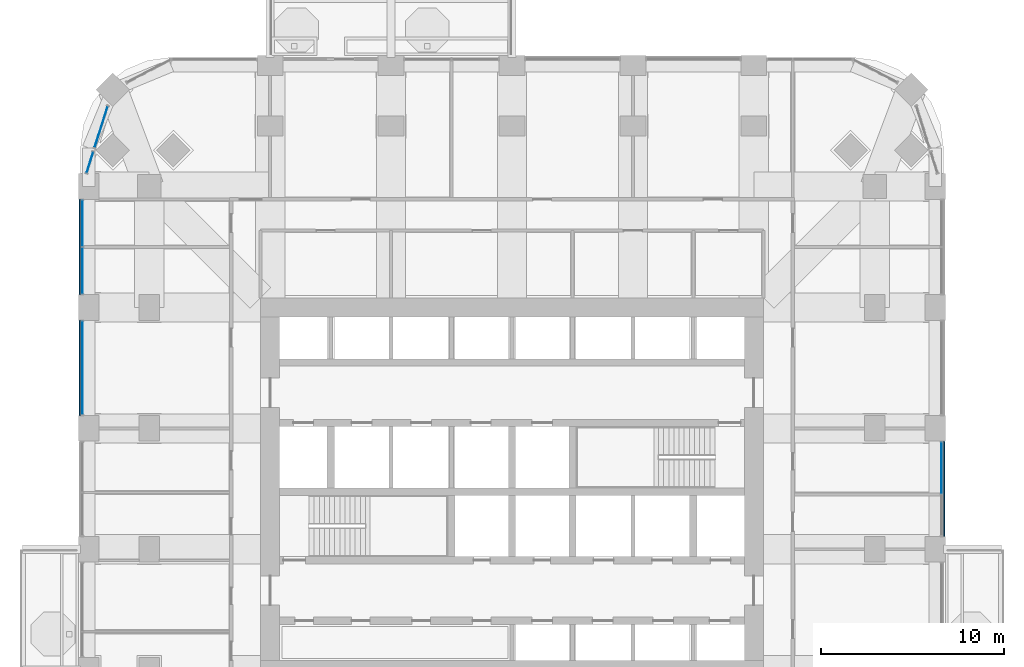
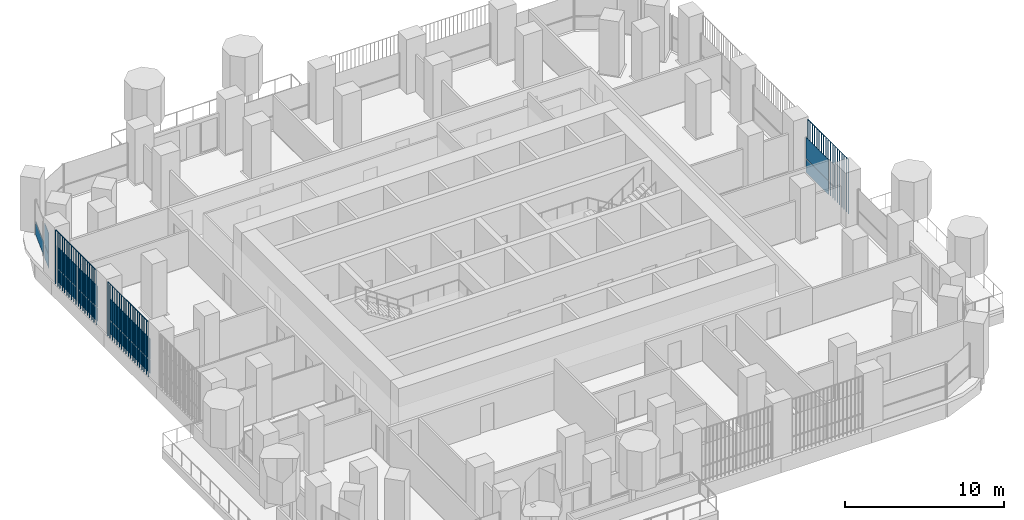
# One storey, part 10 of 21: 14 plates, 5 elements without a shape of their own.
"""IFC4 building model written with IfcOpenShell, lengths in metres."""

from ifc_helpers import new_model, si_unit, direction, frame, origin, origin_2d, place, context, subcontext, project, spatial, polyline, rectangle, outline, extrude, material, layer, layer_set, type_object, element, aggregate, save


model = new_model("IFC4")

# Units and contexts
model_context = context("Model", 3, precision=1e-05, world=origin(), true_north=direction((0.0, 1.0)))
body_context = subcontext(model_context, "Body", "Model", "MODEL_VIEW")
ifc_project = project(units=[si_unit("LENGTHUNIT", "METRE"), si_unit("AREAUNIT", "SQUARE_METRE"), si_unit("VOLUMEUNIT", "CUBIC_METRE"), si_unit("PLANEANGLEUNIT", "RADIAN"), si_unit("MASSUNIT", "GRAM", prefix="KILO")], contexts=[model_context])

# Site, building, storey
site_placement = place(None, origin())
site = spatial("IfcSite", under=ifc_project, at=site_placement, CompositionType="ELEMENT")
building_placement = place(site_placement, origin())
building = spatial("IfcBuilding", under=site, at=building_placement, Name="Cobogo Forest Laboratory Tower", CompositionType="ELEMENT")
storey_placement = place(building_placement, frame((0.0, 0.0, 132.60009765625)))
storey = spatial("IfcBuildingStorey", under=building, at=storey_placement, Name="L30", CompositionType="ELEMENT", Elevation=132.60009765625)

# Curtain wall, plates
ifc_material_1 = material(Name="Aluminium curtain wall", Category="aluminium")
curtain_wall_type = type_object("IfcCurtainWallType", Name="CW-1 unitised curtain wall, clear glazing, laboratory floors zones A and B", PredefinedType="USERDEFINED", material=ifc_material_1)
curtain_wall_1_placement = place(storey_placement, origin())
curtain_wall_1 = element("IfcCurtainWall", 1, at=curtain_wall_1_placement, inside=storey, type_object=curtain_wall_type, Name="Curtain wall 12 L30", ObjectType="UNITISED CURTAIN WALL", PredefinedType="USERDEFINED")
ifc_material_2 = material(Name="Clear insulated glass", Category="glass")
ifc_layer = layer(ifc_material_2, 0.028076171875)
ifc_layer_set = layer_set([ifc_layer], Name="GP-1 clear insulated glass unit 28")
plate_type_1 = type_object("IfcPlateType", Name="GP-1 clear insulated glass unit 28", PredefinedType="CURTAIN_PANEL", material=ifc_layer_set)
plate_1_placement = place(storey_placement, frame((49.85009765625, 24.235107421875, 0.0), z_axis=(0.0, 0.0, 1.0), x_axis=(0.0, 1.0, 0.0)))
plate_1 = element("IfcPlate", 2, at=plate_1_placement, type_object=plate_type_1, Name="CW-1 panel 2.1", PredefinedType="CURTAIN_PANEL", context=body_context, shape_type="SweptSolid", body=[
    extrude(rectangle(XDim=2.81005859375, YDim=0.028076171875, at=origin_2d()), origin(), (0.0, 0.0, 1.0), 1.02001953125),
])
plate_2_placement = place(storey_placement, frame((49.85009765625, 24.235107421875, 1.079833984375), z_axis=(0.0, 0.0, 1.0), x_axis=(0.0, 1.0, 0.0)))
plate_2 = element("IfcPlate", 3, at=plate_2_placement, type_object=plate_type_1, Name="CW-1 panel 2.2", PredefinedType="CURTAIN_PANEL", context=body_context, shape_type="SweptSolid", body=[
    extrude(rectangle(XDim=2.81005859375, YDim=0.028076171875, at=origin_2d()), origin(), (0.0, 0.0, 1.0), 1.6201171875),
])
aggregate(curtain_wall_1, [plate_1, plate_2])

# Curtain wall, plate
curtain_wall_2_placement = place(storey_placement, origin())
curtain_wall_2 = element("IfcCurtainWall", 4, at=curtain_wall_2_placement, inside=storey, type_object=curtain_wall_type, Name="Curtain wall 25 L30", ObjectType="UNITISED CURTAIN WALL", PredefinedType="USERDEFINED")
plate_3_placement = place(storey_placement, frame((3.978759765625, 42.857421875, 0.0), z_axis=(0.0, 0.0, 1.0), x_axis=(-0.301135291996, -0.953581425949, 0.0)))
plate_3 = element("IfcPlate", 5, at=plate_3_placement, type_object=plate_type_1, Name="CW-1 panel 1.1", PredefinedType="CURTAIN_PANEL", context=body_context, shape_type="SweptSolid", body=[
    extrude(rectangle(XDim=2.3681640625, YDim=0.028076171875, at=origin_2d()), origin(), (0.0, 0.0, 1.0), 1.02001953125),
])
aggregate(curtain_wall_2, [plate_3])

# Curtain wall, plates
curtain_wall_3_placement = place(storey_placement, origin())
curtain_wall_3 = element("IfcCurtainWall", 6, at=curtain_wall_3_placement, inside=storey, type_object=curtain_wall_type, Name="Curtain wall 26 L30", ObjectType="UNITISED CURTAIN WALL", PredefinedType="USERDEFINED")
plate_4_placement = place(storey_placement, frame((3.3662109375, 40.917724609375, 0.0), z_axis=(0.0, 0.0, 1.0), x_axis=(-0.301135356805, -0.953581405483, 0.0)))
plate_4 = element("IfcPlate", 7, at=plate_4_placement, type_object=plate_type_1, Name="CW-1 panel 1.1", PredefinedType="CURTAIN_PANEL", context=body_context, shape_type="SweptSolid", body=[
    extrude(rectangle(XDim=1.17578125, YDim=0.028076171875, at=origin_2d()), origin(), (0.0, 0.0, 1.0), 1.02001953125),
])
plate_5_placement = place(storey_placement, frame((3.3662109375, 40.917724609375, 1.079833984375), z_axis=(0.0, 0.0, 1.0), x_axis=(-0.301135356805, -0.953581405483, 0.0)))
plate_5 = element("IfcPlate", 8, at=plate_5_placement, type_object=plate_type_1, Name="CW-1 panel 1.2", PredefinedType="CURTAIN_PANEL", context=body_context, shape_type="SweptSolid", body=[
    extrude(rectangle(XDim=1.17578125, YDim=0.028076171875, at=origin_2d()), origin(), (0.0, 0.0, 1.0), 1.6201171875),
])
aggregate(curtain_wall_3, [plate_4, plate_5])

curtain_wall_4_placement = place(storey_placement, origin())
curtain_wall_4 = element("IfcCurtainWall", 9, at=curtain_wall_4_placement, inside=storey, type_object=curtain_wall_type, Name="Curtain wall 27 L30", ObjectType="UNITISED CURTAIN WALL", PredefinedType="USERDEFINED")
plate_6_placement = place(storey_placement, frame((2.949951171875, 37.5849609375, 0.0), z_axis=(0.0, 0.0, 1.0), x_axis=(0.0, -1.0, 0.0)))
plate_6 = element("IfcPlate", 10, at=plate_6_placement, type_object=plate_type_1, Name="CW-1 panel 1.1", PredefinedType="CURTAIN_PANEL", context=body_context, shape_type="SweptSolid", body=[
    extrude(rectangle(XDim=2.510009765625, YDim=0.028076171875, at=origin_2d()), origin(), (0.0, 0.0, 1.0), 1.02001953125),
])
plate_7_placement = place(storey_placement, frame((2.949951171875, 37.5849609375, 1.079833984375), z_axis=(0.0, 0.0, 1.0), x_axis=(0.0, -1.0, 0.0)))
plate_7 = element("IfcPlate", 11, at=plate_7_placement, type_object=plate_type_1, Name="CW-1 panel 1.2", PredefinedType="CURTAIN_PANEL", context=body_context, shape_type="SweptSolid", body=[
    extrude(rectangle(XDim=2.510009765625, YDim=0.028076171875, at=origin_2d()), origin(), (0.0, 0.0, 1.0), 1.6201171875),
])
plate_8_placement = place(storey_placement, frame((2.949951171875, 35.014892578125, 0.0), z_axis=(0.0, 0.0, 1.0), x_axis=(0.0, -1.0, 0.0)))
plate_8 = element("IfcPlate", 12, at=plate_8_placement, type_object=plate_type_1, Name="CW-1 panel 2.1", PredefinedType="CURTAIN_PANEL", context=body_context, shape_type="SweptSolid", body=[
    extrude(rectangle(XDim=2.510009765625, YDim=0.028076171875, at=origin_2d()), origin(), (0.0, 0.0, 1.0), 1.02001953125),
])
plate_9_placement = place(storey_placement, frame((2.949951171875, 35.014892578125, 1.079833984375), z_axis=(0.0, 0.0, 1.0), x_axis=(0.0, -1.0, 0.0)))
plate_9 = element("IfcPlate", 13, at=plate_9_placement, type_object=plate_type_1, Name="CW-1 panel 2.2", PredefinedType="CURTAIN_PANEL", context=body_context, shape_type="SweptSolid", body=[
    extrude(rectangle(XDim=2.510009765625, YDim=0.028076171875, at=origin_2d()), origin(), (0.0, 0.0, 1.0), 1.6201171875),
])
aggregate(curtain_wall_4, [plate_6, plate_7, plate_8, plate_9])

curtain_wall_5_placement = place(storey_placement, origin())
curtain_wall_5 = element("IfcCurtainWall", 14, at=curtain_wall_5_placement, inside=storey, type_object=curtain_wall_type, Name="Curtain wall 28 L30", ObjectType="UNITISED CURTAIN WALL", PredefinedType="USERDEFINED")
plate_10_placement = place(storey_placement, frame((2.949951171875, 29.699951171875, 0.0), z_axis=(0.0, 0.0, 1.0), x_axis=(0.0, -1.0, 0.0)))
plate_10 = element("IfcPlate", 15, at=plate_10_placement, type_object=plate_type_1, Name="CW-1 panel 1.1", PredefinedType="CURTAIN_PANEL", context=body_context, shape_type="SweptSolid", body=[
    extrude(rectangle(XDim=5.080078125, YDim=0.028076171875, at=origin_2d()), origin(), (0.0, 0.0, 1.0), 1.02001953125),
])
plate_11_placement = place(storey_placement, frame((2.949951171875, 29.699951171875, 1.079833984375), z_axis=(0.0, 0.0, 1.0), x_axis=(0.0, -1.0, 0.0)))
plate_11 = element("IfcPlate", 16, at=plate_11_placement, type_object=plate_type_1, Name="CW-1 panel 1.2", PredefinedType="CURTAIN_PANEL", context=body_context, shape_type="SweptSolid", body=[
    extrude(rectangle(XDim=5.080078125, YDim=0.028076171875, at=origin_2d()), origin(), (0.0, 0.0, 1.0), 1.6201171875),
])
aggregate(curtain_wall_5, [plate_10, plate_11])

# Plates
ifc_material_3 = material(Name="Terracotta", Category="masonry")
plate_type_2 = type_object("IfcPlateType", Name="TB1 terracotta baguette screen", PredefinedType="USERDEFINED", material=ifc_material_3)
plate_12_placement = place(storey_placement, frame((49.977783203125, 20.53125, -0.150146484375)))
element("IfcPlate", 17, at=plate_12_placement, inside=storey, type_object=plate_type_2, Name="Baguette screen E3 L30", ObjectType="BAGUETTE SCREEN", PredefinedType="USERDEFINED", context=body_context, shape_type="SweptSolid", body=[
    extrude(outline(polyline([(0.02880859375, 0.011962890625), (0.011962890625, 0.02880859375), (-0.011962890625, 0.02880859375), (-0.02880859375, 0.011962890625), (-0.02880859375, -0.011962890625), (-0.011962890625, -0.02880859375), (0.011962890625, -0.02880859375), (0.02880859375, -0.011962890625), (0.02880859375, 0.011962890625)])), frame((0.0, 0.0, 4.168701171875), z_axis=(0.0, 1.0, 0.0), x_axis=(-1.0, 0.0, 0.0)), (0.0, 0.0, 1.0), 5.137451171875),
    extrude(outline(polyline([(0.02880859375, 0.011962890625), (0.011962890625, 0.02880859375), (-0.011962890625, 0.02880859375), (-0.02880859375, 0.011962890625), (-0.02880859375, -0.011962890625), (-0.011962890625, -0.02880859375), (0.011962890625, -0.02880859375), (0.02880859375, -0.011962890625), (0.02880859375, 0.011962890625)])), origin(), (0.0, 0.0, 1.0), 4.137451171875),
    extrude(outline(polyline([(0.02880859375, 0.011962890625), (0.011962890625, 0.02880859375), (-0.011962890625, 0.02880859375), (-0.02880859375, 0.011962890625), (-0.02880859375, -0.011962890625), (-0.011962890625, -0.02880859375), (0.011962890625, -0.02880859375), (0.02880859375, -0.011962890625), (0.02880859375, 0.011962890625)])), frame((0.0, 0.285400390625, 0.0)), (0.0, 0.0, 1.0), 4.137451171875),
    extrude(outline(polyline([(0.02880859375, 0.011962890625), (0.011962890625, 0.02880859375), (-0.011962890625, 0.02880859375), (-0.02880859375, 0.011962890625), (-0.02880859375, -0.011962890625), (-0.011962890625, -0.02880859375), (0.011962890625, -0.02880859375), (0.02880859375, -0.011962890625), (0.02880859375, 0.011962890625)])), frame((0.0, 0.57080078125, 0.0)), (0.0, 0.0, 1.0), 4.137451171875),
    extrude(outline(polyline([(0.02880859375, 0.011962890625), (0.011962890625, 0.02880859375), (-0.011962890625, 0.02880859375), (-0.02880859375, 0.011962890625), (-0.02880859375, -0.011962890625), (-0.011962890625, -0.02880859375), (0.011962890625, -0.02880859375), (0.02880859375, -0.011962890625), (0.02880859375, 0.011962890625)])), frame((0.0, 0.856201171875, 0.0)), (0.0, 0.0, 1.0), 4.137451171875),
    extrude(outline(polyline([(0.02880859375, 0.011962890625), (0.011962890625, 0.02880859375), (-0.011962890625, 0.02880859375), (-0.02880859375, 0.011962890625), (-0.02880859375, -0.011962890625), (-0.011962890625, -0.02880859375), (0.011962890625, -0.02880859375), (0.02880859375, -0.011962890625), (0.02880859375, 0.011962890625)])), frame((0.0, 1.1416015625, 0.0)), (0.0, 0.0, 1.0), 4.137451171875),
    extrude(outline(polyline([(0.02880859375, 0.011962890625), (0.011962890625, 0.02880859375), (-0.011962890625, 0.02880859375), (-0.02880859375, 0.011962890625), (-0.02880859375, -0.011962890625), (-0.011962890625, -0.02880859375), (0.011962890625, -0.02880859375), (0.02880859375, -0.011962890625), (0.02880859375, 0.011962890625)])), frame((0.0, 1.427001953125, 0.0)), (0.0, 0.0, 1.0), 4.137451171875),
    extrude(outline(polyline([(0.02880859375, 0.011962890625), (0.011962890625, 0.02880859375), (-0.011962890625, 0.02880859375), (-0.02880859375, 0.011962890625), (-0.02880859375, -0.011962890625), (-0.011962890625, -0.02880859375), (0.011962890625, -0.02880859375), (0.02880859375, -0.011962890625), (0.02880859375, 0.011962890625)])), frame((0.0, 1.71240234375, 0.0)), (0.0, 0.0, 1.0), 4.137451171875),
    extrude(outline(polyline([(0.02880859375, 0.011962890625), (0.011962890625, 0.02880859375), (-0.011962890625, 0.02880859375), (-0.02880859375, 0.011962890625), (-0.02880859375, -0.011962890625), (-0.011962890625, -0.02880859375), (0.011962890625, -0.02880859375), (0.02880859375, -0.011962890625), (0.02880859375, 0.011962890625)])), frame((0.0, 1.997802734375, 0.0)), (0.0, 0.0, 1.0), 4.137451171875),
    extrude(outline(polyline([(0.02880859375, 0.011962890625), (0.011962890625, 0.02880859375), (-0.011962890625, 0.02880859375), (-0.02880859375, 0.011962890625), (-0.02880859375, -0.011962890625), (-0.011962890625, -0.02880859375), (0.011962890625, -0.02880859375), (0.02880859375, -0.011962890625), (0.02880859375, 0.011962890625)])), frame((0.0, 2.283203125, 0.0)), (0.0, 0.0, 1.0), 4.137451171875),
    extrude(outline(polyline([(0.02880859375, 0.011962890625), (0.011962890625, 0.02880859375), (-0.011962890625, 0.02880859375), (-0.02880859375, 0.011962890625), (-0.02880859375, -0.011962890625), (-0.011962890625, -0.02880859375), (0.011962890625, -0.02880859375), (0.02880859375, -0.011962890625), (0.02880859375, 0.011962890625)])), frame((0.0, 2.56884765625, 0.0)), (0.0, 0.0, 1.0), 4.137451171875),
    extrude(outline(polyline([(0.02880859375, 0.011962890625), (0.011962890625, 0.02880859375), (-0.011962890625, 0.02880859375), (-0.02880859375, 0.011962890625), (-0.02880859375, -0.011962890625), (-0.011962890625, -0.02880859375), (0.011962890625, -0.02880859375), (0.02880859375, -0.011962890625), (0.02880859375, 0.011962890625)])), frame((0.0, 2.854248046875, 0.0)), (0.0, 0.0, 1.0), 4.137451171875),
    extrude(outline(polyline([(0.02880859375, 0.011962890625), (0.011962890625, 0.02880859375), (-0.011962890625, 0.02880859375), (-0.02880859375, 0.011962890625), (-0.02880859375, -0.011962890625), (-0.011962890625, -0.02880859375), (0.011962890625, -0.02880859375), (0.02880859375, -0.011962890625), (0.02880859375, 0.011962890625)])), frame((0.0, 3.1396484375, 0.0)), (0.0, 0.0, 1.0), 4.137451171875),
    extrude(outline(polyline([(0.02880859375, 0.011962890625), (0.011962890625, 0.02880859375), (-0.011962890625, 0.02880859375), (-0.02880859375, 0.011962890625), (-0.02880859375, -0.011962890625), (-0.011962890625, -0.02880859375), (0.011962890625, -0.02880859375), (0.02880859375, -0.011962890625), (0.02880859375, 0.011962890625)])), frame((0.0, 3.425048828125, 0.0)), (0.0, 0.0, 1.0), 4.137451171875),
    extrude(outline(polyline([(0.02880859375, 0.011962890625), (0.011962890625, 0.02880859375), (-0.011962890625, 0.02880859375), (-0.02880859375, 0.011962890625), (-0.02880859375, -0.011962890625), (-0.011962890625, -0.02880859375), (0.011962890625, -0.02880859375), (0.02880859375, -0.011962890625), (0.02880859375, 0.011962890625)])), frame((0.0, 3.71044921875, 0.0)), (0.0, 0.0, 1.0), 4.137451171875),
    extrude(outline(polyline([(0.02880859375, 0.011962890625), (0.011962890625, 0.02880859375), (-0.011962890625, 0.02880859375), (-0.02880859375, 0.011962890625), (-0.02880859375, -0.011962890625), (-0.011962890625, -0.02880859375), (0.011962890625, -0.02880859375), (0.02880859375, -0.011962890625), (0.02880859375, 0.011962890625)])), frame((0.0, 3.995849609375, 0.0)), (0.0, 0.0, 1.0), 4.137451171875),
    extrude(outline(polyline([(0.02880859375, 0.011962890625), (0.011962890625, 0.02880859375), (-0.011962890625, 0.02880859375), (-0.02880859375, 0.011962890625), (-0.02880859375, -0.011962890625), (-0.011962890625, -0.02880859375), (0.011962890625, -0.02880859375), (0.02880859375, -0.011962890625), (0.02880859375, 0.011962890625)])), frame((0.0, 4.28125, 0.0)), (0.0, 0.0, 1.0), 4.137451171875),
    extrude(outline(polyline([(0.02880859375, 0.011962890625), (0.011962890625, 0.02880859375), (-0.011962890625, 0.02880859375), (-0.02880859375, 0.011962890625), (-0.02880859375, -0.011962890625), (-0.011962890625, -0.02880859375), (0.011962890625, -0.02880859375), (0.02880859375, -0.011962890625), (0.02880859375, 0.011962890625)])), frame((0.0, 4.566650390625, 0.0)), (0.0, 0.0, 1.0), 4.137451171875),
    extrude(outline(polyline([(0.02880859375, 0.011962890625), (0.011962890625, 0.02880859375), (-0.011962890625, 0.02880859375), (-0.02880859375, 0.011962890625), (-0.02880859375, -0.011962890625), (-0.011962890625, -0.02880859375), (0.011962890625, -0.02880859375), (0.02880859375, -0.011962890625), (0.02880859375, 0.011962890625)])), frame((0.0, 4.85205078125, 0.0)), (0.0, 0.0, 1.0), 4.137451171875),
    extrude(outline(polyline([(0.02880859375, 0.011962890625), (0.011962890625, 0.02880859375), (-0.011962890625, 0.02880859375), (-0.02880859375, 0.011962890625), (-0.02880859375, -0.011962890625), (-0.011962890625, -0.02880859375), (0.011962890625, -0.02880859375), (0.02880859375, -0.011962890625), (0.02880859375, 0.011962890625)])), frame((0.0, 5.137451171875, 0.0)), (0.0, 0.0, 1.0), 4.137451171875),
])
plate_13_placement = place(storey_placement, frame((2.822021484375, 27.13134765625, -0.150146484375)))
element("IfcPlate", 18, at=plate_13_placement, inside=storey, type_object=plate_type_2, Name="Baguette screen W4 L30", ObjectType="BAGUETTE SCREEN", PredefinedType="USERDEFINED", context=body_context, shape_type="SweptSolid", body=[
    extrude(outline(polyline([(0.02880859375, 0.011962890625), (0.011962890625, 0.02880859375), (-0.011962890625, 0.02880859375), (-0.02880859375, 0.011962890625), (-0.02880859375, -0.011962890625), (-0.011962890625, -0.02880859375), (0.011962890625, -0.02880859375), (0.02880859375, -0.011962890625), (0.02880859375, 0.011962890625)])), frame((0.0, 0.0, 4.168701171875), z_axis=(0.0, 1.0, 0.0), x_axis=(-1.0, 0.0, 0.0)), (0.0, 0.0, 1.0), 5.137451171875),
    extrude(outline(polyline([(0.02880859375, 0.011962890625), (0.011962890625, 0.02880859375), (-0.011962890625, 0.02880859375), (-0.02880859375, 0.011962890625), (-0.02880859375, -0.011962890625), (-0.011962890625, -0.02880859375), (0.011962890625, -0.02880859375), (0.02880859375, -0.011962890625), (0.02880859375, 0.011962890625)])), origin(), (0.0, 0.0, 1.0), 4.137451171875),
    extrude(outline(polyline([(0.02880859375, 0.011962890625), (0.011962890625, 0.02880859375), (-0.011962890625, 0.02880859375), (-0.02880859375, 0.011962890625), (-0.02880859375, -0.011962890625), (-0.011962890625, -0.02880859375), (0.011962890625, -0.02880859375), (0.02880859375, -0.011962890625), (0.02880859375, 0.011962890625)])), frame((0.0, 0.285400390625, 0.0)), (0.0, 0.0, 1.0), 4.137451171875),
    extrude(outline(polyline([(0.02880859375, 0.011962890625), (0.011962890625, 0.02880859375), (-0.011962890625, 0.02880859375), (-0.02880859375, 0.011962890625), (-0.02880859375, -0.011962890625), (-0.011962890625, -0.02880859375), (0.011962890625, -0.02880859375), (0.02880859375, -0.011962890625), (0.02880859375, 0.011962890625)])), frame((0.0, 0.57080078125, 0.0)), (0.0, 0.0, 1.0), 4.137451171875),
    extrude(outline(polyline([(0.02880859375, 0.011962890625), (0.011962890625, 0.02880859375), (-0.011962890625, 0.02880859375), (-0.02880859375, 0.011962890625), (-0.02880859375, -0.011962890625), (-0.011962890625, -0.02880859375), (0.011962890625, -0.02880859375), (0.02880859375, -0.011962890625), (0.02880859375, 0.011962890625)])), frame((0.0, 0.856201171875, 0.0)), (0.0, 0.0, 1.0), 4.137451171875),
    extrude(outline(polyline([(0.02880859375, 0.011962890625), (0.011962890625, 0.02880859375), (-0.011962890625, 0.02880859375), (-0.02880859375, 0.011962890625), (-0.02880859375, -0.011962890625), (-0.011962890625, -0.02880859375), (0.011962890625, -0.02880859375), (0.02880859375, -0.011962890625), (0.02880859375, 0.011962890625)])), frame((0.0, 1.1416015625, 0.0)), (0.0, 0.0, 1.0), 4.137451171875),
    extrude(outline(polyline([(0.02880859375, 0.011962890625), (0.011962890625, 0.02880859375), (-0.011962890625, 0.02880859375), (-0.02880859375, 0.011962890625), (-0.02880859375, -0.011962890625), (-0.011962890625, -0.02880859375), (0.011962890625, -0.02880859375), (0.02880859375, -0.011962890625), (0.02880859375, 0.011962890625)])), frame((0.0, 1.427001953125, 0.0)), (0.0, 0.0, 1.0), 4.137451171875),
    extrude(outline(polyline([(0.02880859375, 0.011962890625), (0.011962890625, 0.02880859375), (-0.011962890625, 0.02880859375), (-0.02880859375, 0.011962890625), (-0.02880859375, -0.011962890625), (-0.011962890625, -0.02880859375), (0.011962890625, -0.02880859375), (0.02880859375, -0.011962890625), (0.02880859375, 0.011962890625)])), frame((0.0, 1.71240234375, 0.0)), (0.0, 0.0, 1.0), 4.137451171875),
    extrude(outline(polyline([(0.02880859375, 0.011962890625), (0.011962890625, 0.02880859375), (-0.011962890625, 0.02880859375), (-0.02880859375, 0.011962890625), (-0.02880859375, -0.011962890625), (-0.011962890625, -0.02880859375), (0.011962890625, -0.02880859375), (0.02880859375, -0.011962890625), (0.02880859375, 0.011962890625)])), frame((0.0, 1.997802734375, 0.0)), (0.0, 0.0, 1.0), 4.137451171875),
    extrude(outline(polyline([(0.02880859375, 0.011962890625), (0.011962890625, 0.02880859375), (-0.011962890625, 0.02880859375), (-0.02880859375, 0.011962890625), (-0.02880859375, -0.011962890625), (-0.011962890625, -0.02880859375), (0.011962890625, -0.02880859375), (0.02880859375, -0.011962890625), (0.02880859375, 0.011962890625)])), frame((0.0, 2.283203125, 0.0)), (0.0, 0.0, 1.0), 4.137451171875),
    extrude(outline(polyline([(0.02880859375, 0.011962890625), (0.011962890625, 0.02880859375), (-0.011962890625, 0.02880859375), (-0.02880859375, 0.011962890625), (-0.02880859375, -0.011962890625), (-0.011962890625, -0.02880859375), (0.011962890625, -0.02880859375), (0.02880859375, -0.011962890625), (0.02880859375, 0.011962890625)])), frame((0.0, 2.56884765625, 0.0)), (0.0, 0.0, 1.0), 4.137451171875),
    extrude(outline(polyline([(0.02880859375, 0.011962890625), (0.011962890625, 0.02880859375), (-0.011962890625, 0.02880859375), (-0.02880859375, 0.011962890625), (-0.02880859375, -0.011962890625), (-0.011962890625, -0.02880859375), (0.011962890625, -0.02880859375), (0.02880859375, -0.011962890625), (0.02880859375, 0.011962890625)])), frame((0.0, 2.854248046875, 0.0)), (0.0, 0.0, 1.0), 4.137451171875),
    extrude(outline(polyline([(0.02880859375, 0.011962890625), (0.011962890625, 0.02880859375), (-0.011962890625, 0.02880859375), (-0.02880859375, 0.011962890625), (-0.02880859375, -0.011962890625), (-0.011962890625, -0.02880859375), (0.011962890625, -0.02880859375), (0.02880859375, -0.011962890625), (0.02880859375, 0.011962890625)])), frame((0.0, 3.1396484375, 0.0)), (0.0, 0.0, 1.0), 4.137451171875),
    extrude(outline(polyline([(0.02880859375, 0.011962890625), (0.011962890625, 0.02880859375), (-0.011962890625, 0.02880859375), (-0.02880859375, 0.011962890625), (-0.02880859375, -0.011962890625), (-0.011962890625, -0.02880859375), (0.011962890625, -0.02880859375), (0.02880859375, -0.011962890625), (0.02880859375, 0.011962890625)])), frame((0.0, 3.425048828125, 0.0)), (0.0, 0.0, 1.0), 4.137451171875),
    extrude(outline(polyline([(0.02880859375, 0.011962890625), (0.011962890625, 0.02880859375), (-0.011962890625, 0.02880859375), (-0.02880859375, 0.011962890625), (-0.02880859375, -0.011962890625), (-0.011962890625, -0.02880859375), (0.011962890625, -0.02880859375), (0.02880859375, -0.011962890625), (0.02880859375, 0.011962890625)])), frame((0.0, 3.71044921875, 0.0)), (0.0, 0.0, 1.0), 4.137451171875),
    extrude(outline(polyline([(0.02880859375, 0.011962890625), (0.011962890625, 0.02880859375), (-0.011962890625, 0.02880859375), (-0.02880859375, 0.011962890625), (-0.02880859375, -0.011962890625), (-0.011962890625, -0.02880859375), (0.011962890625, -0.02880859375), (0.02880859375, -0.011962890625), (0.02880859375, 0.011962890625)])), frame((0.0, 3.995849609375, 0.0)), (0.0, 0.0, 1.0), 4.137451171875),
    extrude(outline(polyline([(0.02880859375, 0.011962890625), (0.011962890625, 0.02880859375), (-0.011962890625, 0.02880859375), (-0.02880859375, 0.011962890625), (-0.02880859375, -0.011962890625), (-0.011962890625, -0.02880859375), (0.011962890625, -0.02880859375), (0.02880859375, -0.011962890625), (0.02880859375, 0.011962890625)])), frame((0.0, 4.28125, 0.0)), (0.0, 0.0, 1.0), 4.137451171875),
    extrude(outline(polyline([(0.02880859375, 0.011962890625), (0.011962890625, 0.02880859375), (-0.011962890625, 0.02880859375), (-0.02880859375, 0.011962890625), (-0.02880859375, -0.011962890625), (-0.011962890625, -0.02880859375), (0.011962890625, -0.02880859375), (0.02880859375, -0.011962890625), (0.02880859375, 0.011962890625)])), frame((0.0, 4.566650390625, 0.0)), (0.0, 0.0, 1.0), 4.137451171875),
    extrude(outline(polyline([(0.02880859375, 0.011962890625), (0.011962890625, 0.02880859375), (-0.011962890625, 0.02880859375), (-0.02880859375, 0.011962890625), (-0.02880859375, -0.011962890625), (-0.011962890625, -0.02880859375), (0.011962890625, -0.02880859375), (0.02880859375, -0.011962890625), (0.02880859375, 0.011962890625)])), frame((0.0, 4.85205078125, 0.0)), (0.0, 0.0, 1.0), 4.137451171875),
    extrude(outline(polyline([(0.02880859375, 0.011962890625), (0.011962890625, 0.02880859375), (-0.011962890625, 0.02880859375), (-0.02880859375, 0.011962890625), (-0.02880859375, -0.011962890625), (-0.011962890625, -0.02880859375), (0.011962890625, -0.02880859375), (0.02880859375, -0.011962890625), (0.02880859375, 0.011962890625)])), frame((0.0, 5.137451171875, 0.0)), (0.0, 0.0, 1.0), 4.137451171875),
])
plate_14_placement = place(storey_placement, frame((2.822021484375, 33.731201171875, -0.150146484375)))
element("IfcPlate", 19, at=plate_14_placement, inside=storey, type_object=plate_type_2, Name="Baguette screen W5 L30", ObjectType="BAGUETTE SCREEN", PredefinedType="USERDEFINED", context=body_context, shape_type="SweptSolid", body=[
    extrude(outline(polyline([(0.02880859375, 0.011962890625), (0.011962890625, 0.02880859375), (-0.011962890625, 0.02880859375), (-0.02880859375, 0.011962890625), (-0.02880859375, -0.011962890625), (-0.011962890625, -0.02880859375), (0.011962890625, -0.02880859375), (0.02880859375, -0.011962890625), (0.02880859375, 0.011962890625)])), frame((0.0, 0.0, 4.168701171875), z_axis=(0.0, 1.0, 0.0), x_axis=(-1.0, 0.0, 0.0)), (0.0, 0.0, 1.0), 5.137451171875),
    extrude(outline(polyline([(0.02880859375, 0.011962890625), (0.011962890625, 0.02880859375), (-0.011962890625, 0.02880859375), (-0.02880859375, 0.011962890625), (-0.02880859375, -0.011962890625), (-0.011962890625, -0.02880859375), (0.011962890625, -0.02880859375), (0.02880859375, -0.011962890625), (0.02880859375, 0.011962890625)])), origin(), (0.0, 0.0, 1.0), 4.137451171875),
    extrude(outline(polyline([(0.02880859375, 0.011962890625), (0.011962890625, 0.02880859375), (-0.011962890625, 0.02880859375), (-0.02880859375, 0.011962890625), (-0.02880859375, -0.011962890625), (-0.011962890625, -0.02880859375), (0.011962890625, -0.02880859375), (0.02880859375, -0.011962890625), (0.02880859375, 0.011962890625)])), frame((0.0, 0.285400390625, 0.0)), (0.0, 0.0, 1.0), 4.137451171875),
    extrude(outline(polyline([(0.02880859375, 0.011962890625), (0.011962890625, 0.02880859375), (-0.011962890625, 0.02880859375), (-0.02880859375, 0.011962890625), (-0.02880859375, -0.011962890625), (-0.011962890625, -0.02880859375), (0.011962890625, -0.02880859375), (0.02880859375, -0.011962890625), (0.02880859375, 0.011962890625)])), frame((0.0, 0.57080078125, 0.0)), (0.0, 0.0, 1.0), 4.137451171875),
    extrude(outline(polyline([(0.02880859375, 0.011962890625), (0.011962890625, 0.02880859375), (-0.011962890625, 0.02880859375), (-0.02880859375, 0.011962890625), (-0.02880859375, -0.011962890625), (-0.011962890625, -0.02880859375), (0.011962890625, -0.02880859375), (0.02880859375, -0.011962890625), (0.02880859375, 0.011962890625)])), frame((0.0, 0.856201171875, 0.0)), (0.0, 0.0, 1.0), 4.137451171875),
    extrude(outline(polyline([(0.02880859375, 0.011962890625), (0.011962890625, 0.02880859375), (-0.011962890625, 0.02880859375), (-0.02880859375, 0.011962890625), (-0.02880859375, -0.011962890625), (-0.011962890625, -0.02880859375), (0.011962890625, -0.02880859375), (0.02880859375, -0.011962890625), (0.02880859375, 0.011962890625)])), frame((0.0, 1.1416015625, 0.0)), (0.0, 0.0, 1.0), 4.137451171875),
    extrude(outline(polyline([(0.02880859375, 0.011962890625), (0.011962890625, 0.02880859375), (-0.011962890625, 0.02880859375), (-0.02880859375, 0.011962890625), (-0.02880859375, -0.011962890625), (-0.011962890625, -0.02880859375), (0.011962890625, -0.02880859375), (0.02880859375, -0.011962890625), (0.02880859375, 0.011962890625)])), frame((0.0, 1.427001953125, 0.0)), (0.0, 0.0, 1.0), 4.137451171875),
    extrude(outline(polyline([(0.02880859375, 0.011962890625), (0.011962890625, 0.02880859375), (-0.011962890625, 0.02880859375), (-0.02880859375, 0.011962890625), (-0.02880859375, -0.011962890625), (-0.011962890625, -0.02880859375), (0.011962890625, -0.02880859375), (0.02880859375, -0.011962890625), (0.02880859375, 0.011962890625)])), frame((0.0, 1.71240234375, 0.0)), (0.0, 0.0, 1.0), 4.137451171875),
    extrude(outline(polyline([(0.02880859375, 0.011962890625), (0.011962890625, 0.02880859375), (-0.011962890625, 0.02880859375), (-0.02880859375, 0.011962890625), (-0.02880859375, -0.011962890625), (-0.011962890625, -0.02880859375), (0.011962890625, -0.02880859375), (0.02880859375, -0.011962890625), (0.02880859375, 0.011962890625)])), frame((0.0, 1.997802734375, 0.0)), (0.0, 0.0, 1.0), 4.137451171875),
    extrude(outline(polyline([(0.02880859375, 0.011962890625), (0.011962890625, 0.02880859375), (-0.011962890625, 0.02880859375), (-0.02880859375, 0.011962890625), (-0.02880859375, -0.011962890625), (-0.011962890625, -0.02880859375), (0.011962890625, -0.02880859375), (0.02880859375, -0.011962890625), (0.02880859375, 0.011962890625)])), frame((0.0, 2.283203125, 0.0)), (0.0, 0.0, 1.0), 4.137451171875),
    extrude(outline(polyline([(0.02880859375, 0.011962890625), (0.011962890625, 0.02880859375), (-0.011962890625, 0.02880859375), (-0.02880859375, 0.011962890625), (-0.02880859375, -0.011962890625), (-0.011962890625, -0.02880859375), (0.011962890625, -0.02880859375), (0.02880859375, -0.011962890625), (0.02880859375, 0.011962890625)])), frame((0.0, 2.56884765625, 0.0)), (0.0, 0.0, 1.0), 4.137451171875),
    extrude(outline(polyline([(0.02880859375, 0.011962890625), (0.011962890625, 0.02880859375), (-0.011962890625, 0.02880859375), (-0.02880859375, 0.011962890625), (-0.02880859375, -0.011962890625), (-0.011962890625, -0.02880859375), (0.011962890625, -0.02880859375), (0.02880859375, -0.011962890625), (0.02880859375, 0.011962890625)])), frame((0.0, 2.854248046875, 0.0)), (0.0, 0.0, 1.0), 4.137451171875),
    extrude(outline(polyline([(0.02880859375, 0.011962890625), (0.011962890625, 0.02880859375), (-0.011962890625, 0.02880859375), (-0.02880859375, 0.011962890625), (-0.02880859375, -0.011962890625), (-0.011962890625, -0.02880859375), (0.011962890625, -0.02880859375), (0.02880859375, -0.011962890625), (0.02880859375, 0.011962890625)])), frame((0.0, 3.1396484375, 0.0)), (0.0, 0.0, 1.0), 4.137451171875),
    extrude(outline(polyline([(0.02880859375, 0.011962890625), (0.011962890625, 0.02880859375), (-0.011962890625, 0.02880859375), (-0.02880859375, 0.011962890625), (-0.02880859375, -0.011962890625), (-0.011962890625, -0.02880859375), (0.011962890625, -0.02880859375), (0.02880859375, -0.011962890625), (0.02880859375, 0.011962890625)])), frame((0.0, 3.425048828125, 0.0)), (0.0, 0.0, 1.0), 4.137451171875),
    extrude(outline(polyline([(0.02880859375, 0.011962890625), (0.011962890625, 0.02880859375), (-0.011962890625, 0.02880859375), (-0.02880859375, 0.011962890625), (-0.02880859375, -0.011962890625), (-0.011962890625, -0.02880859375), (0.011962890625, -0.02880859375), (0.02880859375, -0.011962890625), (0.02880859375, 0.011962890625)])), frame((0.0, 3.71044921875, 0.0)), (0.0, 0.0, 1.0), 4.137451171875),
    extrude(outline(polyline([(0.02880859375, 0.011962890625), (0.011962890625, 0.02880859375), (-0.011962890625, 0.02880859375), (-0.02880859375, 0.011962890625), (-0.02880859375, -0.011962890625), (-0.011962890625, -0.02880859375), (0.011962890625, -0.02880859375), (0.02880859375, -0.011962890625), (0.02880859375, 0.011962890625)])), frame((0.0, 3.995849609375, 0.0)), (0.0, 0.0, 1.0), 4.137451171875),
    extrude(outline(polyline([(0.02880859375, 0.011962890625), (0.011962890625, 0.02880859375), (-0.011962890625, 0.02880859375), (-0.02880859375, 0.011962890625), (-0.02880859375, -0.011962890625), (-0.011962890625, -0.02880859375), (0.011962890625, -0.02880859375), (0.02880859375, -0.011962890625), (0.02880859375, 0.011962890625)])), frame((0.0, 4.28125, 0.0)), (0.0, 0.0, 1.0), 4.137451171875),
    extrude(outline(polyline([(0.02880859375, 0.011962890625), (0.011962890625, 0.02880859375), (-0.011962890625, 0.02880859375), (-0.02880859375, 0.011962890625), (-0.02880859375, -0.011962890625), (-0.011962890625, -0.02880859375), (0.011962890625, -0.02880859375), (0.02880859375, -0.011962890625), (0.02880859375, 0.011962890625)])), frame((0.0, 4.566650390625, 0.0)), (0.0, 0.0, 1.0), 4.137451171875),
    extrude(outline(polyline([(0.02880859375, 0.011962890625), (0.011962890625, 0.02880859375), (-0.011962890625, 0.02880859375), (-0.02880859375, 0.011962890625), (-0.02880859375, -0.011962890625), (-0.011962890625, -0.02880859375), (0.011962890625, -0.02880859375), (0.02880859375, -0.011962890625), (0.02880859375, 0.011962890625)])), frame((0.0, 4.85205078125, 0.0)), (0.0, 0.0, 1.0), 4.137451171875),
    extrude(outline(polyline([(0.02880859375, 0.011962890625), (0.011962890625, 0.02880859375), (-0.011962890625, 0.02880859375), (-0.02880859375, 0.011962890625), (-0.02880859375, -0.011962890625), (-0.011962890625, -0.02880859375), (0.011962890625, -0.02880859375), (0.02880859375, -0.011962890625), (0.02880859375, 0.011962890625)])), frame((0.0, 5.137451171875, 0.0)), (0.0, 0.0, 1.0), 4.137451171875),
])

save(model, "model.ifc")
